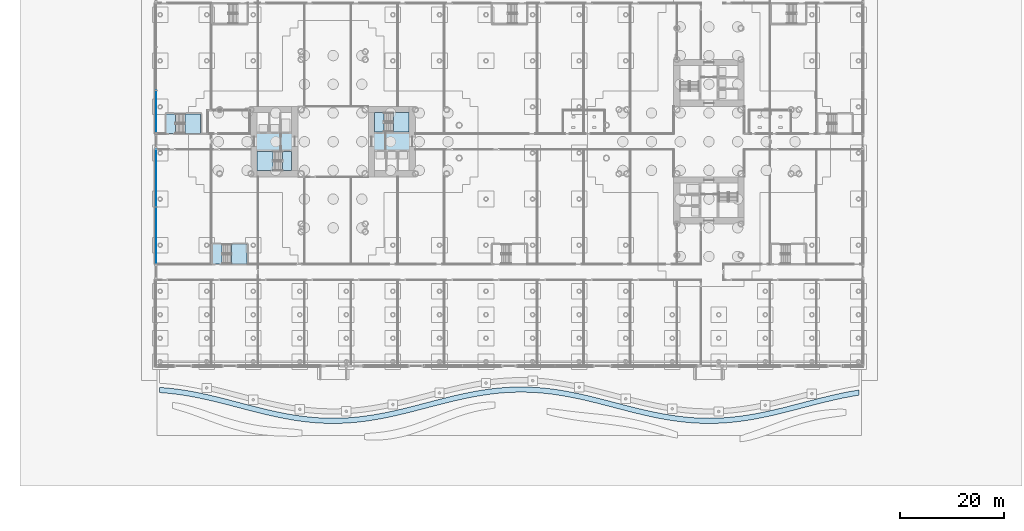
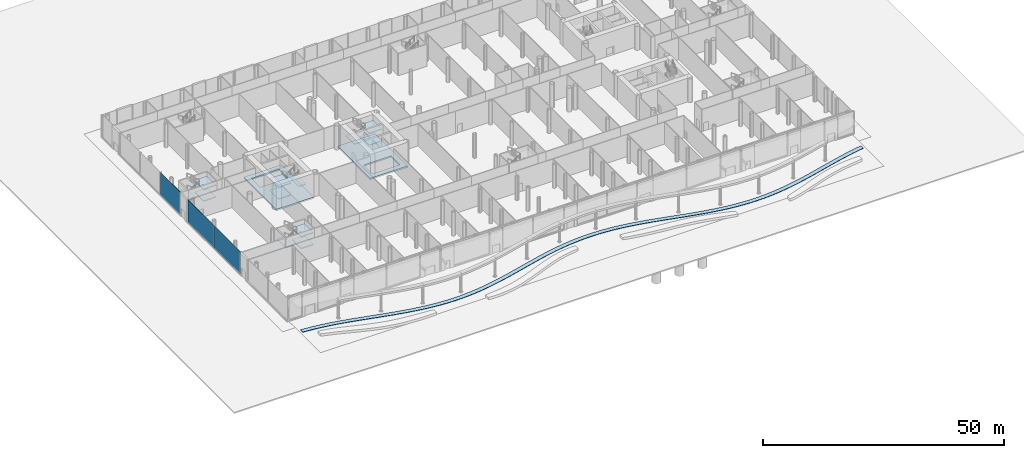
# One storey, part 20 of 75: 15 slabs, 3 plates, 6 elements without a shape of their own.
"""IFC4 building model written with IfcOpenShell, lengths in metres."""

import ifcopenshell
import ifcopenshell.guid

model = None  # the IFC model being written
_history = None  # IfcOwnerHistory: only IFC2X3 demands one
_inside = {}  # id of a spatial element -> (the spatial element, [elements in it])
_under = {}  # id of a project, library or spatial element -> (it, [spatial elements below it])
_declared = {}  # id of a project -> (the project, [libraries it declares])
_typed = {}  # id of a type object -> (the type object, [elements of that type])
_made_of = {}  # id of a material, layer set ... -> (it, [elements and type objects made of it])


def new_model(schema):
    """Start an empty IFC model of exactly this schema.

    Asked for "IFC4X3", IfcOpenShell would pick the latest addendum, in which some entities
    have other attributes; the version numbers below select the first issue.
    IFC2X3 requires an IfcOwnerHistory on every rooted entity: one is made here for all.
    """
    global model, _history
    if schema == "IFC4X3":
        model = ifcopenshell.file(schema_version=(4, 3, 0, 0))
    else:
        model = ifcopenshell.file(schema=schema)
    _inside.clear()
    _under.clear()
    _declared.clear()
    _typed.clear()
    _made_of.clear()
    _history = None
    if model.schema == "IFC2X3":
        org = make("IfcOrganization", Name="unknown")
        user = make(
            "IfcPersonAndOrganization",
            ThePerson=make("IfcPerson", FamilyName="unknown"),
            TheOrganization=org,
        )
        app = make(
            "IfcApplication",
            ApplicationDeveloper=org,
            Version="unknown",
            ApplicationFullName="unknown",
            ApplicationIdentifier="unknown",
        )
        _history = make(
            "IfcOwnerHistory",
            OwningUser=user,
            OwningApplication=app,
            ChangeAction="ADDED",
            CreationDate=0,
        )
    return model


def make(cls, **values):
    """One entity of the class cls with the attributes given. An attribute that is None is left unset."""
    return model.create_entity(
        cls, **{name: value for name, value in values.items() if value is not None}
    )


def rooted(cls, **values):
    """An entity with a GlobalId (a new one), such as an element, a storey or a relation."""
    return make(cls, GlobalId=ifcopenshell.guid.new(), OwnerHistory=_history, **values)


def si_unit(unit_type, name, prefix=None):
    """IfcSIUnit, for example si_unit("LENGTHUNIT", "METRE", prefix="MILLI")."""
    return make("IfcSIUnit", UnitType=unit_type, Prefix=prefix, Name=name)


def assignment(units):
    """IfcUnitAssignment: the units of a project."""
    return None if units is None else make("IfcUnitAssignment", Units=units)


def point(xyz):
    """IfcCartesianPoint."""
    return None if xyz is None else make("IfcCartesianPoint", Coordinates=xyz)


def direction(xyz):
    """IfcDirection."""
    return None if xyz is None else make("IfcDirection", DirectionRatios=xyz)


def frame(location, z_axis=None, x_axis=None):
    """IfcAxis2Placement3D, a coordinate frame: its origin and axes. An axis left out is left unset."""
    return make(
        "IfcAxis2Placement3D",
        Location=point(location),
        Axis=direction(z_axis),
        RefDirection=direction(x_axis),
    )


def frame_2d(location, x_axis=None):
    """IfcAxis2Placement2D, a coordinate frame in the plane: its origin and x axis."""
    return make(
        "IfcAxis2Placement2D", Location=point(location), RefDirection=direction(x_axis)
    )


def origin():
    """The frame at (0, 0, 0) with its axes left unset."""
    return frame((0.0, 0.0, 0.0))


def origin_2d():
    """The frame at (0, 0) in the plane with its x axis left unset."""
    return frame_2d((0.0, 0.0))


def place(relative_to, where):
    """IfcLocalPlacement: puts the frame where relative to a parent placement (None: the world)."""
    return make(
        "IfcLocalPlacement", PlacementRelTo=relative_to, RelativePlacement=where
    )


def context(
    kind, dimensions, precision=None, world=None, true_north=None, identifier=None
):
    """IfcGeometricRepresentationContext, for example the 3D "Model" context."""
    return make(
        "IfcGeometricRepresentationContext",
        ContextIdentifier=identifier,
        ContextType=kind,
        CoordinateSpaceDimension=dimensions,
        Precision=precision,
        WorldCoordinateSystem=world,
        TrueNorth=true_north,
    )


def subcontext(parent, identifier, kind, view, scale=None):
    """IfcGeometricRepresentationSubContext, for example "Body" below "Model"."""
    return make(
        "IfcGeometricRepresentationSubContext",
        ContextIdentifier=identifier,
        ContextType=kind,
        ParentContext=parent,
        TargetScale=scale,
        TargetView=view,
    )


def project(units=None, contexts=None):
    """IfcProject with its units and contexts."""
    return rooted(
        "IfcProject",
        Name="project",
        RepresentationContexts=contexts,
        UnitsInContext=assignment(units),
    )


def spatial(cls, under=None, at=None, **own):
    """A site, building, storey or space (cls), placed at a placement, below another one or the project."""
    s = rooted(cls, ObjectPlacement=at, **own)
    if under is not None:
        _under.setdefault(under.id(), (under, []))[1].append(s)
    return s


def polyline(points):
    """IfcPolyline through the points."""
    return make("IfcPolyline", Points=[point(p) for p in points])


def profile(cls, at=None, kind="AREA", **sizes):
    """A parametric profile (cls). Its sizes go by their IFC names, for example OverallWidth=200.0."""
    return make(cls, ProfileType=kind, Position=at, **sizes)


def rectangle(**sizes):
    """IfcRectangleProfileDef."""
    return profile("IfcRectangleProfileDef", **sizes)


def outline(outer, holes=None, kind="AREA"):
    """IfcArbitraryClosedProfileDef: a profile drawn as a closed curve; with holes, ...WithVoids."""
    if holes is None:
        return make("IfcArbitraryClosedProfileDef", ProfileType=kind, OuterCurve=outer)
    return make(
        "IfcArbitraryProfileDefWithVoids",
        ProfileType=kind,
        OuterCurve=outer,
        InnerCurves=holes,
    )


def extrude(swept, where, along, depth):
    """IfcExtrudedAreaSolid: the profile swept, set in the frame where, extruded along a direction by depth."""
    return make(
        "IfcExtrudedAreaSolid",
        SweptArea=swept,
        Position=where,
        ExtrudedDirection=direction(along),
        Depth=depth,
    )


def shape(context_of_items, identifier, shape_type, items):
    """IfcShapeRepresentation: the items that make up one representation, for example the "Body"."""
    return make(
        "IfcShapeRepresentation",
        ContextOfItems=context_of_items,
        RepresentationIdentifier=identifier,
        RepresentationType=shape_type,
        Items=items,
    )


def material(Name=None, Category=None):
    """IfcMaterial."""
    return make("IfcMaterial", Name=Name, Category=Category)


def layer(
    of_material, thickness, ventilated=None, Name=None, Category=None, Priority=None
):
    """IfcMaterialLayer: one layer of a wall or slab, of a material (None: an air gap)."""
    return make(
        "IfcMaterialLayer",
        Material=of_material,
        LayerThickness=thickness,
        IsVentilated=ventilated,
        Name=Name,
        Category=Category,
        Priority=Priority,
    )


def layer_set(layers, Name=None):
    """IfcMaterialLayerSet."""
    return make("IfcMaterialLayerSet", MaterialLayers=layers, LayerSetName=Name)


def made_of(thing, what):
    """Note that an element or type object is made of a material, layer set ...; save() writes the relation."""
    if what is not None:
        _made_of.setdefault(what.id(), (what, []))[1].append(thing)
    return thing


def type_object(cls, material=None, **own):
    """A type object (cls), such as IfcWallType, which elements share."""
    return made_of(rooted(cls, **own), material)


def element(
    cls,
    number,
    at=None,
    inside=None,
    cuts=None,
    type_object=None,
    material=None,
    context=None,
    identifier="Body",
    shape_type=None,
    held_by="IfcProductDefinitionShape",
    body=None,
    shapes=None,
    **own,
):
    """One element of the class cls, such as IfcWall. Its Tag is "e" and its number.

    at: its placement. inside: the storey or other place that contains it. cuts: it is an
    opening in that element (IfcRelVoidsElement). A single representation is given by context,
    identifier, shape_type and body (its items); several are given by shapes. held_by: the class
    of the entity that holds the representations. save() writes the other relations.
    """
    e = rooted(cls, Tag="e%d" % number, ObjectPlacement=at, **own)
    if body is not None:
        shapes = [shape(context, identifier, shape_type, body)]
    if shapes is not None:
        e.Representation = make(held_by, Representations=shapes)
    if inside is not None:
        _inside.setdefault(inside.id(), (inside, []))[1].append(e)
    if cuts is not None:
        rooted(
            "IfcRelVoidsElement", RelatingBuildingElement=cuts, RelatedOpeningElement=e
        )
    if type_object is not None:
        _typed.setdefault(type_object.id(), (type_object, []))[1].append(e)
    return made_of(e, material)


def aggregate(whole, parts):
    """IfcRelAggregates: a whole, such as a stair, and the parts it consists of."""
    return rooted("IfcRelAggregates", RelatingObject=whole, RelatedObjects=parts)


def save(model, path):
    """Write the relations noted so far, then the file.

    IfcRelAggregates (storeys below a building ...), IfcRelContainedInSpatialStructure (elements
    in a storey), IfcRelDefinesByType, IfcRelAssociatesMaterial and IfcRelDeclares: one each for
    every whole, place, type object, material and project.
    """
    for whole, parts in _under.values():
        aggregate(whole, parts)
    for where, things in _inside.values():
        rooted(
            "IfcRelContainedInSpatialStructure",
            RelatedElements=things,
            RelatingStructure=where,
        )
    for kind, things in _typed.values():
        rooted("IfcRelDefinesByType", RelatedObjects=things, RelatingType=kind)
    for what, things in _made_of.values():
        rooted("IfcRelAssociatesMaterial", RelatedObjects=things, RelatingMaterial=what)
    for by, libraries in _declared.values():
        rooted("IfcRelDeclares", RelatingContext=by, RelatedDefinitions=libraries)
    model.write(path)


model = new_model("IFC4")

# Units and contexts
model_context = context("Model", 3, precision=1e-05, world=origin(), true_north=direction((0.0, 1.0)))
body_context = subcontext(model_context, "Body", "Model", "MODEL_VIEW")
ifc_project = project(units=[si_unit("LENGTHUNIT", "METRE"), si_unit("AREAUNIT", "SQUARE_METRE"), si_unit("VOLUMEUNIT", "CUBIC_METRE"), si_unit("PLANEANGLEUNIT", "RADIAN"), si_unit("MASSUNIT", "GRAM", prefix="KILO")], contexts=[model_context])

# Site, building, storey
site_placement = place(None, origin())
site = spatial("IfcSite", under=ifc_project, at=site_placement, CompositionType="ELEMENT")
building_placement = place(site_placement, origin())
building = spatial("IfcBuilding", under=site, at=building_placement, Name="Ipe Terrace Towers", CompositionType="ELEMENT")
storey_placement = place(building_placement, origin())
storey = spatial("IfcBuildingStorey", under=building, at=storey_placement, Name="L00", CompositionType="ELEMENT", Elevation=0.0)

# Slabs
ifc_material_1 = material(Name="Concrete C30/37", Category="concrete")
ifc_layer_1 = layer(ifc_material_1, 0.39990234375)
ifc_layer_set_1 = layer_set([ifc_layer_1], Name="CORE FLOOR SLAB 400 C30-37")
slab_type_1 = type_object("IfcSlabType", Name="CORE FLOOR SLAB 400 C30-37", PredefinedType="FLOOR", material=ifc_layer_set_1)
slab_1_placement = place(storey_placement, frame((0.0, 0.0, -0.39990234375)))
element("IfcSlab", 1, at=slab_1_placement, inside=storey, type_object=slab_type_1, Name="Core floor T1-C1", PredefinedType="FLOOR", context=body_context, shape_type="SweptSolid", body=[
    extrude(outline(polyline([(-29.25, -6.75), (-29.25, 6.75), (-20.25, 6.75), (-20.25, -6.75), (-29.25, -6.75)]), holes=[polyline([(-28.050048828125, -5.550048828125), (-21.449951171875, -5.550048828125), (-21.449951171875, -1.89990234375), (-28.050048828125, -1.89990234375), (-28.050048828125, -5.550048828125)])]), origin(), (0.0, 0.0, 1.0), 0.39990234375),
])
slab_2_placement = place(storey_placement, frame((0.0, 0.0, -0.39990234375)))
element("IfcSlab", 2, at=slab_2_placement, inside=storey, type_object=slab_type_1, Name="Core floor T1-C2", PredefinedType="FLOOR", context=body_context, shape_type="SweptSolid", body=[
    extrude(outline(polyline([(-51.75, -6.75), (-51.75, 6.75), (-42.75, 6.75), (-42.75, -6.75), (-51.75, -6.75)]), holes=[polyline([(-50.550048828125, 1.89990234375), (-43.949951171875, 1.89990234375), (-43.949951171875, 5.550048828125), (-50.550048828125, 5.550048828125), (-50.550048828125, 1.89990234375)])]), origin(), (0.0, 0.0, 1.0), 0.39990234375),
])

# Stair, slabs
ifc_material_2 = material(Name="Concrete C30/37", Category="concrete")
stair_type = type_object("IfcStairType", Name="Protected exit stair", PredefinedType="HALF_TURN_STAIR", material=ifc_material_2)
stair_1_placement = place(storey_placement, origin())
stair_1 = element("IfcStair", 3, at=stair_1_placement, inside=storey, type_object=stair_type, Name="L00 Exit stair T1-C1", PredefinedType="HALF_TURN_STAIR")
ifc_material_3 = material(Name="Concrete C30/37", Category="concrete")
ifc_layer_2 = layer(ifc_material_3, 0.199951171875)
ifc_layer_set_2 = layer_set([ifc_layer_2], Name="Exit stair landing 200")
slab_type_2 = type_object("IfcSlabType", Name="Exit stair landing 200", PredefinedType="LANDING", material=ifc_layer_set_2)
slab_3_placement = place(storey_placement, frame((0.0, 0.0, 1.300048828125)))
slab_3 = element("IfcSlab", 4, at=slab_3_placement, type_object=slab_type_2, Name="T1-ST1 landing 1", PredefinedType="LANDING", context=body_context, shape_type="SweptSolid", body=[
    extrude(outline(polyline([(-24.47998046875, 1.89990234375), (-21.449951171875, 1.89990234375), (-21.449951171875, 5.550048828125), (-24.47998046875, 5.550048828125), (-24.47998046875, 1.89990234375)])), origin(), (0.0, 0.0, 1.0), 0.199951171875),
])
slab_4_placement = place(storey_placement, frame((0.0, 0.0, 2.800048828125)))
slab_4 = element("IfcSlab", 5, at=slab_4_placement, type_object=slab_type_2, Name="T1-ST1 landing 2", PredefinedType="LANDING", context=body_context, shape_type="SweptSolid", body=[
    extrude(outline(polyline([(-28.050048828125, 1.89990234375), (-26.300048828125, 1.89990234375), (-26.300048828125, 5.550048828125), (-28.050048828125, 5.550048828125), (-28.050048828125, 1.89990234375)])), origin(), (0.0, 0.0, 1.0), 0.199951171875),
])
slab_5_placement = place(storey_placement, frame((0.0, 0.0, 4.300048828125)))
slab_5 = element("IfcSlab", 6, at=slab_5_placement, type_object=slab_type_2, Name="T1-ST1 landing 3", PredefinedType="LANDING", context=body_context, shape_type="SweptSolid", body=[
    extrude(outline(polyline([(-24.47998046875, 1.89990234375), (-21.449951171875, 1.89990234375), (-21.449951171875, 5.550048828125), (-24.47998046875, 5.550048828125), (-24.47998046875, 1.89990234375)])), origin(), (0.0, 0.0, 1.0), 0.199951171875),
])
aggregate(stair_1, [slab_3, slab_4, slab_5])

stair_2_placement = place(storey_placement, origin())
stair_2 = element("IfcStair", 7, at=stair_2_placement, inside=storey, type_object=stair_type, Name="L00 Exit stair T1-C2", PredefinedType="HALF_TURN_STAIR")
slab_6_placement = place(storey_placement, frame((0.0, 0.0, 1.300048828125)))
slab_6 = element("IfcSlab", 8, at=slab_6_placement, type_object=slab_type_2, Name="T1-ST2 landing 1", PredefinedType="LANDING", context=body_context, shape_type="SweptSolid", body=[
    extrude(outline(polyline([(-47.52001953125, -1.89990234375), (-50.550048828125, -1.89990234375), (-50.550048828125, -5.550048828125), (-47.52001953125, -5.550048828125), (-47.52001953125, -1.89990234375)])), origin(), (0.0, 0.0, 1.0), 0.199951171875),
])
slab_7_placement = place(storey_placement, frame((0.0, 0.0, 2.800048828125)))
slab_7 = element("IfcSlab", 9, at=slab_7_placement, type_object=slab_type_2, Name="T1-ST2 landing 2", PredefinedType="LANDING", context=body_context, shape_type="SweptSolid", body=[
    extrude(outline(polyline([(-43.949951171875, -1.89990234375), (-45.699951171875, -1.89990234375), (-45.699951171875, -5.550048828125), (-43.949951171875, -5.550048828125), (-43.949951171875, -1.89990234375)])), origin(), (0.0, 0.0, 1.0), 0.199951171875),
])
slab_8_placement = place(storey_placement, frame((0.0, 0.0, 4.300048828125)))
slab_8 = element("IfcSlab", 10, at=slab_8_placement, type_object=slab_type_2, Name="T1-ST2 landing 3", PredefinedType="LANDING", context=body_context, shape_type="SweptSolid", body=[
    extrude(outline(polyline([(-47.52001953125, -1.89990234375), (-50.550048828125, -1.89990234375), (-50.550048828125, -5.550048828125), (-47.52001953125, -5.550048828125), (-47.52001953125, -1.89990234375)])), origin(), (0.0, 0.0, 1.0), 0.199951171875),
])
aggregate(stair_2, [slab_6, slab_7, slab_8])

stair_3_placement = place(storey_placement, origin())
stair_3 = element("IfcStair", 11, at=stair_3_placement, inside=storey, type_object=stair_type, Name="L00 Podium exit stair PS4", PredefinedType="HALF_TURN_STAIR")
slab_9_placement = place(storey_placement, frame((0.0, 0.0, 1.300048828125)))
slab_9 = element("IfcSlab", 12, at=slab_9_placement, type_object=slab_type_2, Name="PS4 landing 1", PredefinedType="LANDING", context=body_context, shape_type="SweptSolid", body=[
    extrude(outline(polyline([(-55.449951171875, -23.39990234375), (-52.469970703125, -23.39990234375), (-52.469970703125, -19.64990234375), (-55.449951171875, -19.64990234375), (-55.449951171875, -23.39990234375)])), origin(), (0.0, 0.0, 1.0), 0.199951171875),
])
slab_10_placement = place(storey_placement, frame((0.0, 0.0, 2.800048828125)))
slab_10 = element("IfcSlab", 13, at=slab_10_placement, type_object=slab_type_2, Name="PS4 landing 2", PredefinedType="LANDING", context=body_context, shape_type="SweptSolid", body=[
    extrude(outline(polyline([(-59.070068359375, -23.39990234375), (-57.27001953125, -23.39990234375), (-57.27001953125, -19.64990234375), (-59.070068359375, -19.64990234375), (-59.070068359375, -23.39990234375)])), origin(), (0.0, 0.0, 1.0), 0.199951171875),
])
slab_11_placement = place(storey_placement, frame((0.0, 0.0, 4.300048828125)))
slab_11 = element("IfcSlab", 14, at=slab_11_placement, type_object=slab_type_2, Name="PS4 landing 3", PredefinedType="LANDING", context=body_context, shape_type="SweptSolid", body=[
    extrude(outline(polyline([(-55.449951171875, -23.39990234375), (-52.469970703125, -23.39990234375), (-52.469970703125, -19.64990234375), (-55.449951171875, -19.64990234375), (-55.449951171875, -23.39990234375)])), origin(), (0.0, 0.0, 1.0), 0.199951171875),
])
aggregate(stair_3, [slab_9, slab_10, slab_11])

stair_4_placement = place(storey_placement, origin())
stair_4 = element("IfcStair", 15, at=stair_4_placement, inside=storey, type_object=stair_type, Name="L00 Podium exit stair PS7", PredefinedType="HALF_TURN_STAIR")
slab_12_placement = place(storey_placement, frame((0.0, 0.0, 1.300048828125)))
slab_12 = element("IfcSlab", 16, at=slab_12_placement, type_object=slab_type_2, Name="PS7 landing 1", PredefinedType="LANDING", context=body_context, shape_type="SweptSolid", body=[
    extrude(outline(polyline([(-64.3701171875, 1.60009765625), (-61.389892578125, 1.60009765625), (-61.389892578125, 5.35009765625), (-64.3701171875, 5.35009765625), (-64.3701171875, 1.60009765625)])), origin(), (0.0, 0.0, 1.0), 0.199951171875),
])
slab_13_placement = place(storey_placement, frame((0.0, 0.0, 2.800048828125)))
slab_13 = element("IfcSlab", 17, at=slab_13_placement, type_object=slab_type_2, Name="PS7 landing 2", PredefinedType="LANDING", context=body_context, shape_type="SweptSolid", body=[
    extrude(outline(polyline([(-67.989990234375, 1.60009765625), (-66.18994140625, 1.60009765625), (-66.18994140625, 5.35009765625), (-67.989990234375, 5.35009765625), (-67.989990234375, 1.60009765625)])), origin(), (0.0, 0.0, 1.0), 0.199951171875),
])
slab_14_placement = place(storey_placement, frame((0.0, 0.0, 4.300048828125)))
slab_14 = element("IfcSlab", 18, at=slab_14_placement, type_object=slab_type_2, Name="PS7 landing 3", PredefinedType="LANDING", context=body_context, shape_type="SweptSolid", body=[
    extrude(outline(polyline([(-64.3701171875, 1.60009765625), (-61.389892578125, 1.60009765625), (-61.389892578125, 5.35009765625), (-64.3701171875, 5.35009765625), (-64.3701171875, 1.60009765625)])), origin(), (0.0, 0.0, 1.0), 0.199951171875),
])
aggregate(stair_4, [slab_12, slab_13, slab_14])

# Curtain wall, plate
ifc_material_4 = material(Name="Aluminium alloy 6063-T6", Category="aluminium")
ifc_layer_3 = layer(ifc_material_4, 0.43994140625)
ifc_layer_set_3 = layer_set([ifc_layer_3], Name="PODIUM GLAZING CURTAIN WALL")
curtain_wall_type = type_object("IfcCurtainWallType", Name="PODIUM GLAZING CURTAIN WALL", PredefinedType="NOTDEFINED", material=ifc_layer_set_3)
curtain_wall_1_placement = place(storey_placement, origin())
curtain_wall_1 = element("IfcCurtainWall", 19, at=curtain_wall_1_placement, inside=storey, type_object=curtain_wall_type, Name="POD-CW-L00-02c curtain wall", PredefinedType="NOTDEFINED")
ifc_material_5 = material(Name="Glass, clear laminated", Category="glass")
ifc_layer_4 = layer(ifc_material_5, 0.035888671875)
ifc_layer_set_4 = layer_set([ifc_layer_4], Name="PODIUM GLAZING GLASS PANEL 36")
plate_type = type_object("IfcPlateType", Name="PODIUM GLAZING GLASS PANEL 36", PredefinedType="CURTAIN_PANEL", material=ifc_layer_set_4)
plate_1_placement = place(storey_placement, frame((-69.89990234375, 5.693359375, 0.0), z_axis=(0.0, 0.0, 1.0), x_axis=(0.0, -1.0, 0.0)))
plate_1 = element("IfcPlate", 20, at=plate_1_placement, type_object=plate_type, Name="POD-CW-L00-02c panel 3", PredefinedType="CURTAIN_PANEL", context=body_context, shape_type="SweptSolid", body=[
    extrude(rectangle(XDim=8.2265625, YDim=0.035888671875, at=origin_2d()), origin(), (0.0, 0.0, 1.0), 5.699951171875),
])
aggregate(curtain_wall_1, [plate_1])

# Curtain wall, plates
curtain_wall_2_placement = place(storey_placement, origin())
curtain_wall_2 = element("IfcCurtainWall", 21, at=curtain_wall_2_placement, inside=storey, type_object=curtain_wall_type, Name="POD-CW-L00-02e curtain wall", PredefinedType="NOTDEFINED")
plate_2_placement = place(storey_placement, frame((-69.89990234375, -7.02001953125, 0.0), z_axis=(0.0, 0.0, 1.0), x_axis=(0.0, -1.0, 0.0)))
plate_2 = element("IfcPlate", 22, at=plate_2_placement, type_object=plate_type, Name="POD-CW-L00-02e panel 1", PredefinedType="CURTAIN_PANEL", context=body_context, shape_type="SweptSolid", body=[
    extrude(rectangle(XDim=10.8798828125, YDim=0.035888671875, at=origin_2d()), origin(), (0.0, 0.0, 1.0), 5.699951171875),
])
plate_3_placement = place(storey_placement, frame((-69.89990234375, -17.97998046875, 0.0), z_axis=(0.0, 0.0, 1.0), x_axis=(0.0, -1.0, 0.0)))
plate_3 = element("IfcPlate", 23, at=plate_3_placement, type_object=plate_type, Name="POD-CW-L00-02e panel 2", PredefinedType="CURTAIN_PANEL", context=body_context, shape_type="SweptSolid", body=[
    extrude(rectangle(XDim=10.8798828125, YDim=0.035888671875, at=origin_2d()), origin(), (0.0, 0.0, 1.0), 5.699951171875),
])
aggregate(curtain_wall_2, [plate_2, plate_3])

# Slab
ifc_material_6 = material(Name="Concrete C30/37 paving", Category="concrete")
ifc_layer_5 = layer(ifc_material_6, 0.10009765625)
ifc_layer_set_5 = layer_set([ifc_layer_5], Name="PROMENADE INLAY PAVING 100")
slab_type_3 = type_object("IfcSlabType", Name="PROMENADE INLAY PAVING 100", PredefinedType="USERDEFINED", material=ifc_layer_set_5)
slab_15_placement = place(storey_placement, origin())
element("IfcSlab", 24, at=slab_15_placement, inside=storey, type_object=slab_type_3, Name="promenade inlay paving", ObjectType="PAVING", PredefinedType="USERDEFINED", context=body_context, shape_type="SweptSolid", body=[
    extrude(outline(polyline([(-67.743896484375, -47.195068359375), (-66.239013671875, -47.361083984375), (-64.73291015625, -47.572998046875), (-63.22802734375, -47.826904296875), (-61.721923828125, -48.117919921875), (-60.216064453125, -48.44091796875), (-58.7109375, -48.791015625), (-57.205078125, -49.162109375), (-55.698974609375, -49.547119140625), (-54.194091796875, -49.93896484375), (-52.68798828125, -50.3330078125), (-51.18310546875, -50.719970703125), (-49.677001953125, -51.094970703125), (-48.1708984375, -51.450927734375), (-46.666015625, -51.781982421875), (-45.159912109375, -52.0810546875), (-43.654052734375, -52.344970703125), (-42.14892578125, -52.568115234375), (-40.64306640625, -52.7470703125), (-39.137939453125, -52.8779296875), (-37.632080078125, -52.9599609375), (-36.1259765625, -52.989990234375), (-34.62109375, -52.968017578125), (-33.114990234375, -52.89501953125), (-31.610107421875, -52.77197265625), (-30.10400390625, -52.60205078125), (-28.597900390625, -52.385986328125), (-27.093017578125, -52.1279296875), (-25.5869140625, -51.833984375), (-24.0810546875, -51.508056640625), (-22.575927734375, -51.156005859375), (-21.070068359375, -50.783935546875), (-19.56494140625, -50.39794921875), (-18.05908203125, -50.0048828125), (-16.552978515625, -49.612060546875), (-15.048095703125, -49.22607421875), (-13.5419921875, -48.85205078125), (-12.037109375, -48.498046875), (-10.531005859375, -48.169921875), (-9.02490234375, -47.873046875), (-7.52001953125, -47.613037109375), (-6.013916015625, -47.39404296875), (-4.508056640625, -47.218994140625), (-3.0029296875, -47.092041015625), (-1.4970703125, -47.01611328125), (0.008056640625, -46.989990234375), (1.513916015625, -47.01611328125), (3.02001953125, -47.093994140625), (4.52490234375, -47.220947265625), (6.031005859375, -47.39599609375), (7.537109375, -47.615966796875), (9.0419921875, -47.8759765625), (10.548095703125, -48.174072265625), (12.052978515625, -48.501953125), (13.55908203125, -48.85595703125), (15.06494140625, -49.22998046875), (16.570068359375, -49.616943359375), (18.075927734375, -50.010009765625), (19.5810546875, -50.403076171875), (21.0869140625, -50.7880859375), (22.593017578125, -51.159912109375), (24.097900390625, -51.511962890625), (25.60400390625, -51.837890625), (27.110107421875, -52.132080078125), (28.614990234375, -52.387939453125), (30.12109375, -52.60400390625), (31.6259765625, -52.77392578125), (33.132080078125, -52.89697265625), (34.637939453125, -52.968994140625), (36.14306640625, -52.989990234375), (37.64892578125, -52.958984375), (39.154052734375, -52.876953125), (40.659912109375, -52.7451171875), (42.166015625, -52.56591796875), (43.6708984375, -52.342041015625), (45.177001953125, -52.077880859375), (46.68310546875, -51.778076171875), (48.18798828125, -51.447021484375), (49.694091796875, -51.091064453125), (51.198974609375, -50.716064453125), (52.705078125, -50.327880859375), (54.2109375, -49.93505859375), (55.716064453125, -49.5419921875), (57.221923828125, -49.157958984375), (58.72802734375, -48.787109375), (60.23291015625, -48.43701171875), (61.739013671875, -48.114990234375), (63.243896484375, -47.823974609375), (64.75, -47.571044921875), (64.75, -48.571044921875), (63.243896484375, -48.823974609375), (61.739013671875, -49.114990234375), (60.23291015625, -49.43701171875), (58.72802734375, -49.787109375), (57.221923828125, -50.157958984375), (55.716064453125, -50.5419921875), (54.2109375, -50.93505859375), (52.705078125, -51.327880859375), (51.198974609375, -51.716064453125), (49.694091796875, -52.091064453125), (48.18798828125, -52.447021484375), (46.68310546875, -52.778076171875), (45.177001953125, -53.077880859375), (43.6708984375, -53.342041015625), (42.166015625, -53.56591796875), (40.659912109375, -53.7451171875), (39.154052734375, -53.876953125), (37.64892578125, -53.958984375), (36.14306640625, -53.989990234375), (34.637939453125, -53.968994140625), (33.132080078125, -53.89697265625), (31.6259765625, -53.77392578125), (30.12109375, -53.60400390625), (28.614990234375, -53.387939453125), (27.110107421875, -53.132080078125), (25.60400390625, -52.837890625), (24.097900390625, -52.511962890625), (22.593017578125, -52.159912109375), (21.0869140625, -51.7880859375), (19.5810546875, -51.403076171875), (18.075927734375, -51.010009765625), (16.570068359375, -50.616943359375), (15.06494140625, -50.22998046875), (13.55908203125, -49.85595703125), (12.052978515625, -49.501953125), (10.548095703125, -49.174072265625), (9.0419921875, -48.8759765625), (7.537109375, -48.615966796875), (6.031005859375, -48.39599609375), (4.52490234375, -48.220947265625), (3.02001953125, -48.093994140625), (1.513916015625, -48.01611328125), (0.008056640625, -47.989990234375), (-1.4970703125, -48.01611328125), (-3.0029296875, -48.092041015625), (-4.508056640625, -48.218994140625), (-6.013916015625, -48.39404296875), (-7.52001953125, -48.613037109375), (-9.02490234375, -48.873046875), (-10.531005859375, -49.169921875), (-12.037109375, -49.498046875), (-13.5419921875, -49.85205078125), (-15.048095703125, -50.22607421875), (-16.552978515625, -50.612060546875), (-18.05908203125, -51.0048828125), (-19.56494140625, -51.39794921875), (-21.070068359375, -51.783935546875), (-22.575927734375, -52.156005859375), (-24.0810546875, -52.508056640625), (-25.5869140625, -52.833984375), (-27.093017578125, -53.1279296875), (-28.597900390625, -53.385986328125), (-30.10400390625, -53.60205078125), (-31.610107421875, -53.77197265625), (-33.114990234375, -53.89501953125), (-34.62109375, -53.968017578125), (-36.1259765625, -53.989990234375), (-37.632080078125, -53.9599609375), (-39.137939453125, -53.8779296875), (-40.64306640625, -53.7470703125), (-42.14892578125, -53.568115234375), (-43.654052734375, -53.344970703125), (-45.159912109375, -53.0810546875), (-46.666015625, -52.781982421875), (-48.1708984375, -52.450927734375), (-49.677001953125, -52.094970703125), (-51.18310546875, -51.719970703125), (-52.68798828125, -51.3330078125), (-54.194091796875, -50.93896484375), (-55.698974609375, -50.547119140625), (-57.205078125, -50.162109375), (-58.7109375, -49.791015625), (-60.216064453125, -49.44091796875), (-61.721923828125, -49.117919921875), (-63.22802734375, -48.826904296875), (-64.73291015625, -48.572998046875), (-66.239013671875, -48.361083984375), (-67.743896484375, -48.195068359375), (-69.25, -48.075927734375), (-69.25, -47.075927734375), (-67.743896484375, -47.195068359375)])), origin(), (0.0, 0.0, 1.0), 0.10009765625),
])

save(model, "model.ifc")
